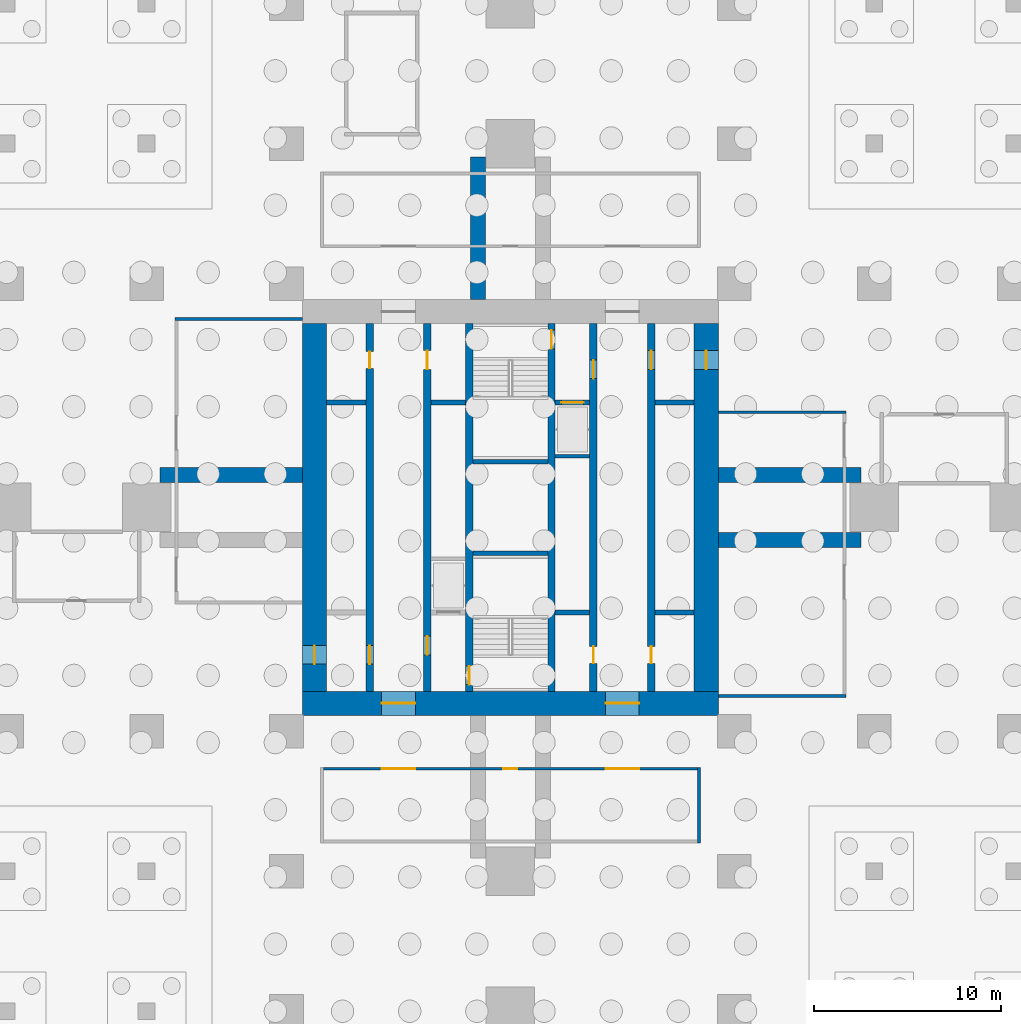
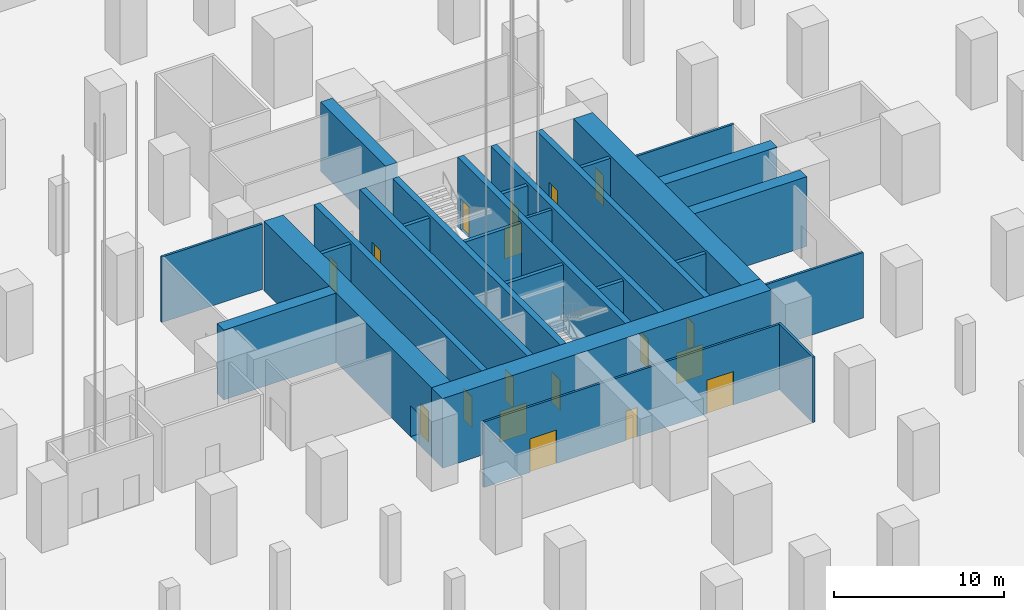
# One storey, part 9 of 31: 27 walls, 18 doors, 18 openings.
"""IFC4 building model written with IfcOpenShell, lengths in metres."""

from ifc_helpers import new_model, si_unit, direction, frame, frame_2d, origin, place, context, subcontext, project, spatial, rectangle, extrude, material, layer, layer_set, type_object, element, fill, save


model = new_model("IFC4")

# Units and contexts
model_context = context("Model", 3, precision=1e-05, world=origin(), true_north=direction((0.0, 1.0)))
body_context = subcontext(model_context, "Body", "Model", "MODEL_VIEW")
ifc_project = project(units=[si_unit("LENGTHUNIT", "METRE"), si_unit("AREAUNIT", "SQUARE_METRE"), si_unit("VOLUMEUNIT", "CUBIC_METRE"), si_unit("PLANEANGLEUNIT", "RADIAN"), si_unit("MASSUNIT", "GRAM", prefix="KILO")], contexts=[model_context])

# Site, building, storey
site_placement = place(None, origin())
site = spatial("IfcSite", under=ifc_project, at=site_placement, CompositionType="ELEMENT")
building_placement = place(site_placement, origin())
building = spatial("IfcBuilding", under=site, at=building_placement, Name="Mizan Broadcast Tower", CompositionType="ELEMENT")
storey_placement = place(building_placement, frame((0.0, 0.0, -10.0)))
storey = spatial("IfcBuildingStorey", under=building, at=storey_placement, Name="B2", CompositionType="ELEMENT", Elevation=-10.0)

# Wall, openings, doors
ifc_material_1 = material(Name="Concrete C70/85", Category="concrete")
ifc_layer_1 = layer(ifc_material_1, 0.39990234375)
ifc_layer_set_1 = layer_set([ifc_layer_1], Name="Concrete C70/85")
wall_type_1 = type_object("IfcWallType", Name="CORE INTERNAL WALL 400", PredefinedType="SHEAR", material=ifc_layer_set_1)
wall_1_placement = place(storey_placement, frame((-7.550048828125, -9.85009765625, 0.0), z_axis=(0.0, 0.0, 1.0), x_axis=(0.0, 1.0, 0.0)))
wall_1 = element("IfcWall", 1, at=wall_1_placement, inside=storey, type_object=wall_type_1, Name="Core wall CORE/XW1", PredefinedType="SHEAR", context=body_context, shape_type="SweptSolid", body=[
    extrude(rectangle(XDim=19.7001953125, YDim=0.39990234375, at=frame_2d((9.85009765625, 0.0))), origin(), (0.0, 0.0, 1.0), 5.0),
])
opening_1_placement = place(wall_1_placement, frame((1.449951171875, 0.0, 0.0)))
opening_1 = element("IfcOpeningElement", 2, at=opening_1_placement, cuts=wall_1, Name="Opening D10F", PredefinedType="OPENING", context=body_context, shape_type="SweptSolid", body=[
    extrude(rectangle(XDim=1.0, YDim=2.199951171875, at=frame_2d((0.5, 1.10009765625))), frame((0.0, 0.2099609375, 0.0), z_axis=(0.0, -1.0, 0.0), x_axis=(1.0, 0.0, 0.0)), (0.0, 0.0, 1.0), 0.419921875),
])
opening_2_placement = place(wall_1_placement, frame((17.300048828125, 0.0, 0.0)))
opening_2 = element("IfcOpeningElement", 3, at=opening_2_placement, cuts=wall_1, Name="Opening D09", PredefinedType="OPENING", context=body_context, shape_type="SweptSolid", body=[
    extrude(rectangle(XDim=0.89990234375, YDim=2.10009765625, at=frame_2d((0.449951171875, 1.050048828125))), frame((0.0, 0.2099609375, 0.0), z_axis=(0.0, -1.0, 0.0), x_axis=(1.0, 0.0, 0.0)), (0.0, 0.0, 1.0), 0.419921875),
])
ifc_material_2 = material(Name="Steel door leaf in steel frame", Category="steel")
door_type_1 = type_object("IfcDoorType", Name="FIRE DOOR 1000 FD90", OperationType="SINGLE_SWING_LEFT", PredefinedType="DOOR", material=ifc_material_2)
door_1_placement = place(opening_1_placement, origin())
door_1 = element("IfcDoor", 4, at=door_1_placement, inside=storey, type_object=door_type_1, Name="West core passage door", OperationType="SINGLE_SWING_LEFT", OverallHeight=2.199951171875, OverallWidth=1.0, PredefinedType="DOOR", context=body_context, shape_type="SweptSolid", body=[
    extrude(rectangle(XDim=1.0, YDim=2.199951171875, at=frame_2d((0.5, 1.10009765625))), frame((0.0, 0.02490234375, 0.0), z_axis=(0.0, -1.0, 0.0), x_axis=(1.0, 0.0, 0.0)), (0.0, 0.0, 1.0), 0.050048828125),
])
fill(opening_1, door_1)
ifc_material_3 = material(Name="Timber door leaf in aluminium frame", Category="wood")
door_type_2 = type_object("IfcDoorType", Name="TOILET DOOR 900", OperationType="SINGLE_SWING_LEFT", PredefinedType="DOOR", material=ifc_material_3)
door_2_placement = place(opening_2_placement, origin())
door_2 = element("IfcDoor", 5, at=door_2_placement, inside=storey, type_object=door_type_2, Name="Male WC door", OperationType="SINGLE_SWING_RIGHT", OverallHeight=2.10009765625, OverallWidth=0.89990234375, PredefinedType="DOOR", context=body_context, shape_type="SweptSolid", body=[
    extrude(rectangle(XDim=0.89990234375, YDim=2.10009765625, at=frame_2d((0.449951171875, 1.050048828125))), frame((0.0, 0.02490234375, 0.0), z_axis=(0.0, -1.0, 0.0), x_axis=(1.0, 0.0, 0.0)), (0.0, 0.0, 1.0), 0.050048828125),
])
fill(opening_2, door_2)

wall_2_placement = place(storey_placement, frame((7.550048828125, 9.85009765625, 0.0), z_axis=(0.0, 0.0, 1.0), x_axis=(0.0, -1.0, 0.0)))
wall_2 = element("IfcWall", 6, at=wall_2_placement, inside=storey, type_object=wall_type_1, Name="Core wall CORE/XW1E", PredefinedType="SHEAR", context=body_context, shape_type="SweptSolid", body=[
    extrude(rectangle(XDim=19.7001953125, YDim=0.39990234375, at=frame_2d((9.85009765625, 0.0))), origin(), (0.0, 0.0, 1.0), 5.0),
])
opening_3_placement = place(wall_2_placement, frame((1.449951171875, 0.0, 0.0)))
opening_3 = element("IfcOpeningElement", 7, at=opening_3_placement, cuts=wall_2, Name="Opening D10F", PredefinedType="OPENING", context=body_context, shape_type="SweptSolid", body=[
    extrude(rectangle(XDim=1.0, YDim=2.199951171875, at=frame_2d((0.5, 1.10009765625))), frame((0.0, 0.2099609375, 0.0), z_axis=(0.0, -1.0, 0.0), x_axis=(1.0, 0.0, 0.0)), (0.0, 0.0, 1.0), 0.419921875),
])
opening_4_placement = place(wall_2_placement, frame((17.300048828125, 0.0, 0.0)))
opening_4 = element("IfcOpeningElement", 8, at=opening_4_placement, cuts=wall_2, Name="Opening D09", PredefinedType="OPENING", context=body_context, shape_type="SweptSolid", body=[
    extrude(rectangle(XDim=0.89990234375, YDim=2.10009765625, at=frame_2d((0.449951171875, 1.050048828125))), frame((0.0, 0.2099609375, 0.0), z_axis=(0.0, -1.0, 0.0), x_axis=(1.0, 0.0, 0.0)), (0.0, 0.0, 1.0), 0.419921875),
])
door_3_placement = place(opening_3_placement, origin())
door_3 = element("IfcDoor", 9, at=door_3_placement, inside=storey, type_object=door_type_1, Name="East core passage door", OperationType="SINGLE_SWING_LEFT", OverallHeight=2.199951171875, OverallWidth=1.0, PredefinedType="DOOR", context=body_context, shape_type="SweptSolid", body=[
    extrude(rectangle(XDim=1.0, YDim=2.199951171875, at=frame_2d((0.5, 1.10009765625))), frame((0.0, 0.02490234375, 0.0), z_axis=(0.0, -1.0, 0.0), x_axis=(1.0, 0.0, 0.0)), (0.0, 0.0, 1.0), 0.050048828125),
])
fill(opening_3, door_3)
door_4_placement = place(opening_4_placement, origin())
door_4 = element("IfcDoor", 10, at=door_4_placement, inside=storey, type_object=door_type_2, Name="Female WC door", OperationType="SINGLE_SWING_RIGHT", OverallHeight=2.10009765625, OverallWidth=0.89990234375, PredefinedType="DOOR", context=body_context, shape_type="SweptSolid", body=[
    extrude(rectangle(XDim=0.89990234375, YDim=2.10009765625, at=frame_2d((0.449951171875, 1.050048828125))), frame((0.0, 0.02490234375, 0.0), z_axis=(0.0, -1.0, 0.0), x_axis=(1.0, 0.0, 0.0)), (0.0, 0.0, 1.0), 0.050048828125),
])
fill(opening_4, door_4)

wall_3_placement = place(storey_placement, frame((-4.449951171875, -9.85009765625, 0.0), z_axis=(0.0, 0.0, 1.0), x_axis=(0.0, 1.0, 0.0)))
wall_3 = element("IfcWall", 11, at=wall_3_placement, inside=storey, type_object=wall_type_1, Name="Core wall CORE/XWH", PredefinedType="SHEAR", context=body_context, shape_type="SweptSolid", body=[
    extrude(rectangle(XDim=19.7001953125, YDim=0.39990234375, at=frame_2d((9.85009765625, 0.0))), origin(), (0.0, 0.0, 1.0), 5.0),
])
opening_5_placement = place(wall_3_placement, frame((1.949951171875, 0.0, 0.0)))
opening_5 = element("IfcOpeningElement", 12, at=opening_5_placement, cuts=wall_3, Name="Opening D10F", PredefinedType="OPENING", context=body_context, shape_type="SweptSolid", body=[
    extrude(rectangle(XDim=1.0, YDim=2.199951171875, at=frame_2d((0.5, 1.10009765625))), frame((0.0, 0.2099609375, 0.0), z_axis=(0.0, -1.0, 0.0), x_axis=(1.0, 0.0, 0.0)), (0.0, 0.0, 1.0), 0.419921875),
])
opening_6_placement = place(wall_3_placement, frame((17.25, 0.0, 0.0)))
opening_6 = element("IfcOpeningElement", 13, at=opening_6_placement, cuts=wall_3, Name="Opening D10A", PredefinedType="OPENING", context=body_context, shape_type="SweptSolid", body=[
    extrude(rectangle(XDim=1.0, YDim=2.10009765625, at=frame_2d((0.5, 1.050048828125))), frame((0.0, 0.2099609375, 0.0), z_axis=(0.0, -1.0, 0.0), x_axis=(1.0, 0.0, 0.0)), (0.0, 0.0, 1.0), 0.419921875),
])
ifc_material_4 = material(Name="Timber door leaf in aluminium frame", Category="wood")
door_type_3 = type_object("IfcDoorType", Name="ACCESSIBLE WC DOOR 1000", OperationType="SLIDING_TO_LEFT", PredefinedType="DOOR", material=ifc_material_4)
door_5_placement = place(opening_6_placement, origin())
door_5 = element("IfcDoor", 14, at=door_5_placement, inside=storey, type_object=door_type_3, Name="Accessible WC door", OperationType="SLIDING_TO_LEFT", OverallHeight=2.10009765625, OverallWidth=1.0, PredefinedType="DOOR", context=body_context, shape_type="SweptSolid", body=[
    extrude(rectangle(XDim=1.0, YDim=2.10009765625, at=frame_2d((0.5, 1.050048828125))), frame((0.0, 0.02490234375, 0.0), z_axis=(0.0, -1.0, 0.0), x_axis=(1.0, 0.0, 0.0)), (0.0, 0.0, 1.0), 0.050048828125),
])
fill(opening_6, door_5)
door_6_placement = place(opening_5_placement, origin())
door_6 = element("IfcDoor", 15, at=door_6_placement, inside=storey, type_object=door_type_1, Name="Firefighting lobby A door", OperationType="SINGLE_SWING_LEFT", OverallHeight=2.199951171875, OverallWidth=1.0, PredefinedType="DOOR", context=body_context, shape_type="SweptSolid", body=[
    extrude(rectangle(XDim=1.0, YDim=2.199951171875, at=frame_2d((0.5, 1.10009765625))), frame((0.0, 0.02490234375, 0.0), z_axis=(0.0, -1.0, 0.0), x_axis=(1.0, 0.0, 0.0)), (0.0, 0.0, 1.0), 0.050048828125),
])
fill(opening_5, door_6)

wall_4_placement = place(storey_placement, frame((4.449951171875, 9.85009765625, 0.0), z_axis=(0.0, 0.0, 1.0), x_axis=(0.0, -1.0, 0.0)))
wall_4 = element("IfcWall", 16, at=wall_4_placement, inside=storey, type_object=wall_type_1, Name="Core wall CORE/XWHE", PredefinedType="SHEAR", context=body_context, shape_type="SweptSolid", body=[
    extrude(rectangle(XDim=19.7001953125, YDim=0.39990234375, at=frame_2d((9.85009765625, 0.0))), origin(), (0.0, 0.0, 1.0), 5.0),
])
opening_7_placement = place(wall_4_placement, frame((1.949951171875, 0.0, 0.0)))
opening_7 = element("IfcOpeningElement", 17, at=opening_7_placement, cuts=wall_4, Name="Opening D10F", PredefinedType="OPENING", context=body_context, shape_type="SweptSolid", body=[
    extrude(rectangle(XDim=1.0, YDim=2.199951171875, at=frame_2d((0.5, 1.10009765625))), frame((0.0, 0.2099609375, 0.0), z_axis=(0.0, -1.0, 0.0), x_axis=(1.0, 0.0, 0.0)), (0.0, 0.0, 1.0), 0.419921875),
])
opening_8_placement = place(wall_4_placement, frame((17.300048828125, 0.0, 0.0)))
opening_8 = element("IfcOpeningElement", 18, at=opening_8_placement, cuts=wall_4, Name="Opening D09", PredefinedType="OPENING", context=body_context, shape_type="SweptSolid", body=[
    extrude(rectangle(XDim=0.89990234375, YDim=2.10009765625, at=frame_2d((0.449951171875, 1.050048828125))), frame((0.0, 0.2099609375, 0.0), z_axis=(0.0, -1.0, 0.0), x_axis=(1.0, 0.0, 0.0)), (0.0, 0.0, 1.0), 0.419921875),
])
door_7_placement = place(opening_7_placement, origin())
door_7 = element("IfcDoor", 19, at=door_7_placement, inside=storey, type_object=door_type_1, Name="Firefighting lobby B door", OperationType="SINGLE_SWING_LEFT", OverallHeight=2.199951171875, OverallWidth=1.0, PredefinedType="DOOR", context=body_context, shape_type="SweptSolid", body=[
    extrude(rectangle(XDim=1.0, YDim=2.199951171875, at=frame_2d((0.5, 1.10009765625))), frame((0.0, 0.02490234375, 0.0), z_axis=(0.0, -1.0, 0.0), x_axis=(1.0, 0.0, 0.0)), (0.0, 0.0, 1.0), 0.050048828125),
])
fill(opening_7, door_7)
door_8_placement = place(opening_8_placement, origin())
door_8 = element("IfcDoor", 20, at=door_8_placement, inside=storey, type_object=door_type_2, Name="Cleaner's store door", OperationType="SINGLE_SWING_RIGHT", OverallHeight=2.10009765625, OverallWidth=0.89990234375, PredefinedType="DOOR", context=body_context, shape_type="SweptSolid", body=[
    extrude(rectangle(XDim=0.89990234375, YDim=2.10009765625, at=frame_2d((0.449951171875, 1.050048828125))), frame((0.0, 0.02490234375, 0.0), z_axis=(0.0, -1.0, 0.0), x_axis=(1.0, 0.0, 0.0)), (0.0, 0.0, 1.0), 0.050048828125),
])
fill(opening_8, door_8)

# Wall, opening, door
wall_5_placement = place(storey_placement, frame((-2.199951171875, -9.85009765625, 0.0), z_axis=(0.0, 0.0, 1.0), x_axis=(0.0, 1.0, 0.0)))
wall_5 = element("IfcWall", 21, at=wall_5_placement, inside=storey, type_object=wall_type_1, Name="Core wall CORE/XW2", PredefinedType="SHEAR", context=body_context, shape_type="SweptSolid", body=[
    extrude(rectangle(XDim=19.7001953125, YDim=0.39990234375, at=frame_2d((9.85009765625, 0.0))), origin(), (0.0, 0.0, 1.0), 5.0),
])
opening_9_placement = place(wall_5_placement, frame((0.35009765625, 0.0, 0.0)))
opening_9 = element("IfcOpeningElement", 22, at=opening_9_placement, cuts=wall_5, Name="Opening D10S", PredefinedType="OPENING", context=body_context, shape_type="SweptSolid", body=[
    extrude(rectangle(XDim=1.0, YDim=2.199951171875, at=frame_2d((0.5, 1.10009765625))), frame((0.0, 0.2099609375, 0.0), z_axis=(0.0, -1.0, 0.0), x_axis=(1.0, 0.0, 0.0)), (0.0, 0.0, 1.0), 0.419921875),
])
ifc_material_5 = material(Name="Steel door leaf in steel frame", Category="steel")
door_type_4 = type_object("IfcDoorType", Name="STAIR DOOR 1000 FD90S", OperationType="SINGLE_SWING_RIGHT", PredefinedType="DOOR", material=ifc_material_5)
door_9_placement = place(opening_9_placement, origin())
door_9 = element("IfcDoor", 23, at=door_9_placement, inside=storey, type_object=door_type_4, Name="Stair A door", OperationType="SINGLE_SWING_RIGHT", OverallHeight=2.199951171875, OverallWidth=1.0, PredefinedType="DOOR", context=body_context, shape_type="SweptSolid", body=[
    extrude(rectangle(XDim=1.0, YDim=2.199951171875, at=frame_2d((0.5, 1.10009765625))), frame((0.0, 0.02490234375, 0.0), z_axis=(0.0, -1.0, 0.0), x_axis=(1.0, 0.0, 0.0)), (0.0, 0.0, 1.0), 0.050048828125),
])
fill(opening_9, door_9)

wall_6_placement = place(storey_placement, frame((2.199951171875, 9.85009765625, 0.0), z_axis=(0.0, 0.0, 1.0), x_axis=(0.0, -1.0, 0.0)))
wall_6 = element("IfcWall", 24, at=wall_6_placement, inside=storey, type_object=wall_type_1, Name="Core wall CORE/XW2E", PredefinedType="SHEAR", context=body_context, shape_type="SweptSolid", body=[
    extrude(rectangle(XDim=19.7001953125, YDim=0.39990234375, at=frame_2d((9.85009765625, 0.0))), origin(), (0.0, 0.0, 1.0), 5.0),
])
opening_10_placement = place(wall_6_placement, frame((0.35009765625, 0.0, 0.0)))
opening_10 = element("IfcOpeningElement", 25, at=opening_10_placement, cuts=wall_6, Name="Opening D10S", PredefinedType="OPENING", context=body_context, shape_type="SweptSolid", body=[
    extrude(rectangle(XDim=1.0, YDim=2.199951171875, at=frame_2d((0.5, 1.10009765625))), frame((0.0, 0.2099609375, 0.0), z_axis=(0.0, -1.0, 0.0), x_axis=(1.0, 0.0, 0.0)), (0.0, 0.0, 1.0), 0.419921875),
])
door_10_placement = place(opening_10_placement, origin())
door_10 = element("IfcDoor", 26, at=door_10_placement, inside=storey, type_object=door_type_4, Name="Stair B door", OperationType="SINGLE_SWING_RIGHT", OverallHeight=2.199951171875, OverallWidth=1.0, PredefinedType="DOOR", context=body_context, shape_type="SweptSolid", body=[
    extrude(rectangle(XDim=1.0, YDim=2.199951171875, at=frame_2d((0.5, 1.10009765625))), frame((0.0, 0.02490234375, 0.0), z_axis=(0.0, -1.0, 0.0), x_axis=(1.0, 0.0, 0.0)), (0.0, 0.0, 1.0), 0.050048828125),
])
fill(opening_10, door_10)

# Wall, openings, doors
ifc_material_6 = material(Name="Concrete C70/85", Category="concrete")
ifc_layer_2 = layer(ifc_material_6, 1.300048828125)
ifc_layer_set_2 = layer_set([ifc_layer_2], Name="Concrete C70/85")
wall_type_2 = type_object("IfcWallType", Name="CORE WALL 1300", PredefinedType="SHEAR", material=ifc_layer_set_2)
wall_7_placement = place(storey_placement, frame((11.14990234375, -10.5, 0.0), z_axis=(0.0, 0.0, 1.0), x_axis=(-1.0, 0.0, 0.0)))
wall_7 = element("IfcWall", 27, at=wall_7_placement, inside=storey, type_object=wall_type_2, Name="Core wall S B2", PredefinedType="SHEAR", context=body_context, shape_type="SweptSolid", body=[
    extrude(rectangle(XDim=22.2998046875, YDim=1.300048828125, at=frame_2d((11.14990234375, 0.0))), origin(), (0.0, 0.0, 1.0), 5.0),
])
opening_11_placement = place(wall_7_placement, frame((16.25, 0.0, 0.0)))
opening_11 = element("IfcOpeningElement", 28, at=opening_11_placement, cuts=wall_7, Name="Opening D18F", PredefinedType="OPENING", context=body_context, shape_type="SweptSolid", body=[
    extrude(rectangle(XDim=1.800048828125, YDim=2.199951171875, at=frame_2d((0.89990234375, 1.10009765625))), frame((0.0, 0.659912109375, 0.0), z_axis=(0.0, -1.0, 0.0), x_axis=(1.0, 0.0, 0.0)), (0.0, 0.0, 1.0), 1.320068359375),
])
opening_12_placement = place(wall_7_placement, frame((4.25, 0.0, 0.0)))
opening_12 = element("IfcOpeningElement", 29, at=opening_12_placement, cuts=wall_7, Name="Opening D18F", PredefinedType="OPENING", context=body_context, shape_type="SweptSolid", body=[
    extrude(rectangle(XDim=1.800048828125, YDim=2.199951171875, at=frame_2d((0.89990234375, 1.10009765625))), frame((0.0, 0.659912109375, 0.0), z_axis=(0.0, -1.0, 0.0), x_axis=(1.0, 0.0, 0.0)), (0.0, 0.0, 1.0), 1.320068359375),
])
ifc_material_7 = material(Name="Steel door leaf in steel frame", Category="steel")
door_type_5 = type_object("IfcDoorType", Name="LOBBY DOUBLE DOOR 1800 FD90", OperationType="DOUBLE_DOOR_DOUBLE_SWING", PredefinedType="DOOR", material=ifc_material_7)
door_11_placement = place(opening_11_placement, origin())
door_11 = element("IfcDoor", 30, at=door_11_placement, inside=storey, type_object=door_type_5, Name="West lift lobby south door", OperationType="DOUBLE_DOOR_DOUBLE_SWING", OverallHeight=2.199951171875, OverallWidth=1.800048828125, PredefinedType="DOOR", context=body_context, shape_type="SweptSolid", body=[
    extrude(rectangle(XDim=1.800048828125, YDim=2.199951171875, at=frame_2d((0.89990234375, 1.10009765625))), frame((0.0, 0.02490234375, 0.0), z_axis=(0.0, -1.0, 0.0), x_axis=(1.0, 0.0, 0.0)), (0.0, 0.0, 1.0), 0.050048828125),
])
fill(opening_11, door_11)
door_12_placement = place(opening_12_placement, origin())
door_12 = element("IfcDoor", 31, at=door_12_placement, inside=storey, type_object=door_type_5, Name="East lift lobby south door", OperationType="DOUBLE_DOOR_DOUBLE_SWING", OverallHeight=2.199951171875, OverallWidth=1.800048828125, PredefinedType="DOOR", context=body_context, shape_type="SweptSolid", body=[
    extrude(rectangle(XDim=1.800048828125, YDim=2.199951171875, at=frame_2d((0.89990234375, 1.10009765625))), frame((0.0, 0.02490234375, 0.0), z_axis=(0.0, -1.0, 0.0), x_axis=(1.0, 0.0, 0.0)), (0.0, 0.0, 1.0), 0.050048828125),
])
fill(opening_12, door_12)

# Wall, opening, door
wall_8_placement = place(storey_placement, frame((10.5, -9.85009765625, 0.0), z_axis=(0.0, 0.0, 1.0), x_axis=(0.0, 1.0, 0.0)))
wall_8 = element("IfcWall", 32, at=wall_8_placement, inside=storey, type_object=wall_type_2, Name="Core wall E B2", PredefinedType="SHEAR", context=body_context, shape_type="SweptSolid", body=[
    extrude(rectangle(XDim=19.7001953125, YDim=1.300048828125, at=frame_2d((9.85009765625, 0.0))), origin(), (0.0, 0.0, 1.0), 5.0),
])
opening_13_placement = place(wall_8_placement, frame((17.25, 0.0, 0.0)))
opening_13 = element("IfcOpeningElement", 33, at=opening_13_placement, cuts=wall_8, Name="Opening D10F", PredefinedType="OPENING", context=body_context, shape_type="SweptSolid", body=[
    extrude(rectangle(XDim=1.0, YDim=2.199951171875, at=frame_2d((0.5, 1.10009765625))), frame((0.0, 0.659912109375, 0.0), z_axis=(0.0, -1.0, 0.0), x_axis=(1.0, 0.0, 0.0)), (0.0, 0.0, 1.0), 1.320068359375),
])
door_13_placement = place(opening_13_placement, origin())
door_13 = element("IfcDoor", 34, at=door_13_placement, inside=storey, type_object=door_type_1, Name="East core passage arm door", OperationType="SINGLE_SWING_RIGHT", OverallHeight=2.199951171875, OverallWidth=1.0, PredefinedType="DOOR", context=body_context, shape_type="SweptSolid", body=[
    extrude(rectangle(XDim=1.0, YDim=2.199951171875, at=frame_2d((0.5, 1.10009765625))), frame((0.0, 0.02490234375, 0.0), z_axis=(0.0, -1.0, 0.0), x_axis=(1.0, 0.0, 0.0)), (0.0, 0.0, 1.0), 0.050048828125),
])
fill(opening_13, door_13)

wall_9_placement = place(storey_placement, frame((-10.5, 9.85009765625, 0.0), z_axis=(0.0, 0.0, 1.0), x_axis=(0.0, -1.0, 0.0)))
wall_9 = element("IfcWall", 35, at=wall_9_placement, inside=storey, type_object=wall_type_2, Name="Core wall W B2", PredefinedType="SHEAR", context=body_context, shape_type="SweptSolid", body=[
    extrude(rectangle(XDim=19.7001953125, YDim=1.300048828125, at=frame_2d((9.85009765625, 0.0))), origin(), (0.0, 0.0, 1.0), 5.0),
])
opening_14_placement = place(wall_9_placement, frame((17.25, 0.0, 0.0)))
opening_14 = element("IfcOpeningElement", 36, at=opening_14_placement, cuts=wall_9, Name="Opening D10F", PredefinedType="OPENING", context=body_context, shape_type="SweptSolid", body=[
    extrude(rectangle(XDim=1.0, YDim=2.199951171875, at=frame_2d((0.5, 1.10009765625))), frame((0.0, 0.659912109375, 0.0), z_axis=(0.0, -1.0, 0.0), x_axis=(1.0, 0.0, 0.0)), (0.0, 0.0, 1.0), 1.320068359375),
])
door_14_placement = place(opening_14_placement, origin())
door_14 = element("IfcDoor", 37, at=door_14_placement, inside=storey, type_object=door_type_1, Name="West core passage arm door", OperationType="SINGLE_SWING_RIGHT", OverallHeight=2.199951171875, OverallWidth=1.0, PredefinedType="DOOR", context=body_context, shape_type="SweptSolid", body=[
    extrude(rectangle(XDim=1.0, YDim=2.199951171875, at=frame_2d((0.5, 1.10009765625))), frame((0.0, 0.02490234375, 0.0), z_axis=(0.0, -1.0, 0.0), x_axis=(1.0, 0.0, 0.0)), (0.0, 0.0, 1.0), 0.050048828125),
])
fill(opening_14, door_14)

# Walls
ifc_material_8 = material(Name="Concrete blockwork", Category="masonry")
ifc_layer_3 = layer(ifc_material_8, 0.199951171875)
ifc_layer_set_3 = layer_set([ifc_layer_3], Name="Concrete blockwork")
wall_type_3 = type_object("IfcWallType", Name="LIFT SHAFT WALL 200", PredefinedType="SOLIDWALL", material=ifc_layer_set_3)
wall_10_placement = place(storey_placement, frame((2.39990234375, 2.75, 0.0), z_axis=(0.0, 0.0, 1.0), x_axis=(1.0, 0.0, 0.0)))
element("IfcWall", 38, at=wall_10_placement, inside=storey, type_object=wall_type_3, Name="Lift shaft wall CORE/SE2-3", PredefinedType="SOLIDWALL", context=body_context, shape_type="SweptSolid", body=[
    extrude(rectangle(XDim=1.85009765625, YDim=0.199951171875, at=frame_2d((0.925048828125, 0.0))), origin(), (0.0, 0.0, 1.0), 4.800048828125),
])
ifc_material_9 = material(Name="Concrete blockwork", Category="masonry")
ifc_layer_4 = layer(ifc_material_9, 0.25)
ifc_layer_set_4 = layer_set([ifc_layer_4], Name="Concrete blockwork")
wall_type_4 = type_object("IfcWallType", Name="LOBBY ENCLOSURE WALL 250", PredefinedType="SOLIDWALL", material=ifc_layer_set_4)
wall_11_placement = place(storey_placement, frame((-9.85009765625, 5.625, 0.0), z_axis=(0.0, 0.0, 1.0), x_axis=(1.0, 0.0, 0.0)))
element("IfcWall", 39, at=wall_11_placement, inside=storey, type_object=wall_type_4, Name="Lobby enclosure wall CORE/BW1N", PredefinedType="SOLIDWALL", context=body_context, shape_type="SweptSolid", body=[
    extrude(rectangle(XDim=2.10009765625, YDim=0.25, at=frame_2d((1.050048828125, 0.0))), origin(), (0.0, 0.0, 1.0), 4.800048828125),
])
wall_12_placement = place(storey_placement, frame((-4.25, 5.625, 0.0), z_axis=(0.0, 0.0, 1.0), x_axis=(1.0, 0.0, 0.0)))
element("IfcWall", 40, at=wall_12_placement, inside=storey, type_object=wall_type_4, Name="Lobby enclosure wall CORE/BW2N", PredefinedType="SOLIDWALL", context=body_context, shape_type="SweptSolid", body=[
    extrude(rectangle(XDim=1.85009765625, YDim=0.25, at=frame_2d((0.925048828125, 0.0))), origin(), (0.0, 0.0, 1.0), 4.800048828125),
])

# Wall, opening, door
wall_13_placement = place(storey_placement, frame((2.39990234375, 5.625, 0.0), z_axis=(0.0, 0.0, 1.0), x_axis=(1.0, 0.0, 0.0)))
wall_13 = element("IfcWall", 41, at=wall_13_placement, inside=storey, type_object=wall_type_4, Name="Lobby enclosure wall CORE/BE2N", PredefinedType="SOLIDWALL", context=body_context, shape_type="SweptSolid", body=[
    extrude(rectangle(XDim=1.85009765625, YDim=0.25, at=frame_2d((0.925048828125, 0.0))), origin(), (0.0, 0.0, 1.0), 4.800048828125),
])
opening_15_placement = place(wall_13_placement, frame((0.324951171875, 0.0, 0.0)))
opening_15 = element("IfcOpeningElement", 42, at=opening_15_placement, cuts=wall_13, Name="Opening LDF", PredefinedType="OPENING", context=body_context, shape_type="SweptSolid", body=[
    extrude(rectangle(XDim=1.199951171875, YDim=2.199951171875, at=frame_2d((0.60009765625, 1.10009765625))), frame((0.0, 0.135009765625, 0.0), z_axis=(0.0, -1.0, 0.0), x_axis=(1.0, 0.0, 0.0)), (0.0, 0.0, 1.0), 0.27001953125),
])
ifc_material_10 = material(Name="Steel door leaf in steel frame", Category="steel")
door_type_6 = type_object("IfcDoorType", Name="FIREFIGHTING LIFT LANDING DOOR 1200", OperationType="SLIDING_TO_LEFT", PredefinedType="DOOR", material=ifc_material_10)
door_15_placement = place(opening_15_placement, origin())
door_15 = element("IfcDoor", 43, at=door_15_placement, inside=storey, type_object=door_type_6, Name="Landing door FF2", OperationType="SLIDING_TO_LEFT", OverallHeight=2.199951171875, OverallWidth=1.199951171875, PredefinedType="DOOR", context=body_context, shape_type="SweptSolid", body=[
    extrude(rectangle(XDim=1.199951171875, YDim=2.199951171875, at=frame_2d((0.60009765625, 1.10009765625))), frame((0.0, 0.02490234375, 0.0), z_axis=(0.0, -1.0, 0.0), x_axis=(1.0, 0.0, 0.0)), (0.0, 0.0, 1.0), 0.050048828125),
])
fill(opening_15, door_15)

# Walls
wall_14_placement = place(storey_placement, frame((7.75, 5.625, 0.0), z_axis=(0.0, 0.0, 1.0), x_axis=(1.0, 0.0, 0.0)))
element("IfcWall", 44, at=wall_14_placement, inside=storey, type_object=wall_type_4, Name="Lobby enclosure wall CORE/BE1N", PredefinedType="SOLIDWALL", context=body_context, shape_type="SweptSolid", body=[
    extrude(rectangle(XDim=2.10009765625, YDim=0.25, at=frame_2d((1.050048828125, 0.0))), origin(), (0.0, 0.0, 1.0), 4.800048828125),
])
wall_15_placement = place(storey_placement, frame((2.39990234375, -5.625, 0.0), z_axis=(0.0, 0.0, 1.0), x_axis=(1.0, 0.0, 0.0)))
element("IfcWall", 45, at=wall_15_placement, inside=storey, type_object=wall_type_4, Name="Lobby enclosure wall CORE/BE2S", PredefinedType="SOLIDWALL", context=body_context, shape_type="SweptSolid", body=[
    extrude(rectangle(XDim=1.85009765625, YDim=0.25, at=frame_2d((0.925048828125, 0.0))), origin(), (0.0, 0.0, 1.0), 4.800048828125),
])
wall_16_placement = place(storey_placement, frame((7.75, -5.625, 0.0), z_axis=(0.0, 0.0, 1.0), x_axis=(1.0, 0.0, 0.0)))
element("IfcWall", 46, at=wall_16_placement, inside=storey, type_object=wall_type_4, Name="Lobby enclosure wall CORE/BE1S", PredefinedType="SOLIDWALL", context=body_context, shape_type="SweptSolid", body=[
    extrude(rectangle(XDim=2.10009765625, YDim=0.25, at=frame_2d((1.050048828125, 0.0))), origin(), (0.0, 0.0, 1.0), 4.800048828125),
])
for number, where, z_axis, x_axis, name in (
    (47, (-2.0, -2.449951171875, 0.0), (0.0, 0.0, 1.0), (1.0, 0.0, 0.0), "Lobby enclosure wall CORE/STA"),
    (48, (-2.0, 2.449951171875, 0.0), (0.0, 0.0, 1.0), (1.0, 0.0, 0.0), "Lobby enclosure wall CORE/STB"),
):
    element("IfcWall", number, at=place(storey_placement, frame(where, z_axis=z_axis, x_axis=x_axis)), inside=storey, type_object=wall_type_4, Name=name, PredefinedType="SOLIDWALL", context=body_context, shape_type="SweptSolid", body=[
        extrude(rectangle(XDim=4.0, YDim=0.25, at=frame_2d((2.0, 0.0))), origin(), (0.0, 0.0, 1.0), 4.800048828125),
    ])
ifc_material_11 = material(Name="Concrete blockwork", Category="masonry")
ifc_layer_5 = layer(ifc_material_11, 0.14990234375)
ifc_layer_set_5 = layer_set([ifc_layer_5], Name="Concrete blockwork")
wall_type_5 = type_object("IfcWallType", Name="PLANT ROOM ENCLOSURE WALL 150", PredefinedType="SOLIDWALL", material=ifc_layer_set_5)
for number, where, z_axis, x_axis, name in (
    (49, (11.14990234375, -10.10009765625, 0.0), (0.0, 0.0, 1.0), (1.0, 0.0, 0.0), "Plant room wall PT/ES"),
    (50, (11.14990234375, 5.10009765625, 0.0), (0.0, 0.0, 1.0), (1.0, 0.0, 0.0), "Plant room wall PT/EN"),
    (51, (-11.14990234375, 10.10009765625, 0.0), (0.0, 0.0, 1.0), (-1.0, 0.0, 0.0), "Plant room wall PT/WS"),
):
    element("IfcWall", number, at=place(storey_placement, frame(where, z_axis=z_axis, x_axis=x_axis)), inside=storey, type_object=wall_type_5, Name=name, PredefinedType="SOLIDWALL", context=body_context, shape_type="SweptSolid", body=[
        extrude(rectangle(XDim=6.8251953125, YDim=0.14990234375, at=frame_2d((3.41259765625, 0.0))), origin(), (0.0, 0.0, 1.0), 4.699951171875),
    ])
wall_17_placement = place(storey_placement, frame((10.10009765625, -13.925048828125, 0.0), z_axis=(0.0, 0.0, 1.0), x_axis=(0.0, -1.0, 0.0)))
element("IfcWall", 52, at=wall_17_placement, inside=storey, type_object=wall_type_5, Name="Plant room wall PT/SN", PredefinedType="SOLIDWALL", context=body_context, shape_type="SweptSolid", body=[
    extrude(rectangle(XDim=4.050048828125, YDim=0.14990234375, at=frame_2d((2.02490234375, 0.0))), origin(), (0.0, 0.0, 1.0), 4.699951171875),
])

# Wall, openings, doors
wall_18_placement = place(storey_placement, frame((-10.02490234375, -14.0, 0.0), z_axis=(0.0, 0.0, 1.0), x_axis=(1.0, 0.0, 0.0)))
wall_18 = element("IfcWall", 53, at=wall_18_placement, inside=storey, type_object=wall_type_5, Name="Plant room wall PT/SY", PredefinedType="SOLIDWALL", context=body_context, shape_type="SweptSolid", body=[
    extrude(rectangle(XDim=20.0498046875, YDim=0.14990234375, at=frame_2d((10.02490234375, 0.0))), origin(), (0.0, 0.0, 1.0), 4.699951171875),
])
opening_16_placement = place(wall_18_placement, frame((9.64990234375, 0.0, 0.0)))
opening_16 = element("IfcOpeningElement", 54, at=opening_16_placement, cuts=wall_18, Name="Opening D07R", PredefinedType="OPENING", context=body_context, shape_type="SweptSolid", body=[
    extrude(rectangle(XDim=0.75, YDim=2.10009765625, at=frame_2d((0.375, 1.050048828125))), frame((0.0, 0.0849609375, 0.0), z_axis=(0.0, -1.0, 0.0), x_axis=(1.0, 0.0, 0.0)), (0.0, 0.0, 1.0), 0.169921875),
])
opening_17_placement = place(wall_18_placement, frame((3.125, 0.0, 0.0)))
opening_17 = element("IfcOpeningElement", 55, at=opening_17_placement, cuts=wall_18, Name="Opening D18P", PredefinedType="OPENING", context=body_context, shape_type="SweptSolid", body=[
    extrude(rectangle(XDim=1.800048828125, YDim=2.39990234375, at=frame_2d((0.89990234375, 1.199951171875))), frame((0.0, 0.0849609375, 0.0), z_axis=(0.0, -1.0, 0.0), x_axis=(1.0, 0.0, 0.0)), (0.0, 0.0, 1.0), 0.169921875),
])
opening_18_placement = place(wall_18_placement, frame((15.125, 0.0, 0.0)))
opening_18 = element("IfcOpeningElement", 56, at=opening_18_placement, cuts=wall_18, Name="Opening D18P", PredefinedType="OPENING", context=body_context, shape_type="SweptSolid", body=[
    extrude(rectangle(XDim=1.800048828125, YDim=2.39990234375, at=frame_2d((0.89990234375, 1.199951171875))), frame((0.0, 0.0849609375, 0.0), z_axis=(0.0, -1.0, 0.0), x_axis=(1.0, 0.0, 0.0)), (0.0, 0.0, 1.0), 0.169921875),
])
ifc_material_12 = material(Name="Steel door leaf in steel frame", Category="steel")
door_type_7 = type_object("IfcDoorType", Name="PLANT ROOM DOUBLE DOOR 1800x2400 FD90", OperationType="DOUBLE_DOOR_DOUBLE_SWING", PredefinedType="DOOR", material=ifc_material_12)
door_16_placement = place(opening_17_placement, origin())
door_16 = element("IfcDoor", 57, at=door_16_placement, inside=storey, type_object=door_type_7, Name="Sprinkler tank room door", OperationType="DOUBLE_DOOR_DOUBLE_SWING", OverallHeight=2.39990234375, OverallWidth=1.800048828125, PredefinedType="DOOR", context=body_context, shape_type="SweptSolid", body=[
    extrude(rectangle(XDim=1.800048828125, YDim=2.39990234375, at=frame_2d((0.89990234375, 1.199951171875))), frame((0.0, 0.02490234375, 0.0), z_axis=(0.0, -1.0, 0.0), x_axis=(1.0, 0.0, 0.0)), (0.0, 0.0, 1.0), 0.050048828125),
])
fill(opening_17, door_16)
door_17_placement = place(opening_18_placement, origin())
door_17 = element("IfcDoor", 58, at=door_17_placement, inside=storey, type_object=door_type_7, Name="Sprinkler tank room door", OperationType="DOUBLE_DOOR_DOUBLE_SWING", OverallHeight=2.39990234375, OverallWidth=1.800048828125, PredefinedType="DOOR", context=body_context, shape_type="SweptSolid", body=[
    extrude(rectangle(XDim=1.800048828125, YDim=2.39990234375, at=frame_2d((0.89990234375, 1.199951171875))), frame((0.0, 0.02490234375, 0.0), z_axis=(0.0, -1.0, 0.0), x_axis=(1.0, 0.0, 0.0)), (0.0, 0.0, 1.0), 0.050048828125),
])
fill(opening_18, door_17)
ifc_material_13 = material(Name="Steel door leaf in steel frame", Category="steel")
door_type_8 = type_object("IfcDoorType", Name="RISER ACCESS DOOR 750x2100 FD60", OperationType="SINGLE_SWING_LEFT", PredefinedType="DOOR", material=ifc_material_13)
door_18_placement = place(opening_16_placement, origin())
door_18 = element("IfcDoor", 59, at=door_18_placement, inside=storey, type_object=door_type_8, Name="Spine riser door", OperationType="SINGLE_SWING_LEFT", OverallHeight=2.10009765625, OverallWidth=0.75, PredefinedType="DOOR", context=body_context, shape_type="SweptSolid", body=[
    extrude(rectangle(XDim=0.75, YDim=2.10009765625, at=frame_2d((0.375, 1.050048828125))), frame((0.0, 0.02490234375, 0.0), z_axis=(0.0, -1.0, 0.0), x_axis=(1.0, 0.0, 0.0)), (0.0, 0.0, 1.0), 0.050048828125),
])
fill(opening_16, door_18)

# Walls
ifc_material_14 = material(Name="Concrete C70/85", Category="concrete")
ifc_layer_6 = layer(ifc_material_14, 0.800048828125)
ifc_layer_set_6 = layer_set([ifc_layer_6], Name="Concrete C70/85")
wall_type_6 = type_object("IfcWallType", Name="SPINE WALL 800", PredefinedType="SHEAR", material=ifc_layer_set_6)
for number, where, z_axis, x_axis, name in (
    (60, (11.14990234375, -1.75, 0.0), (0.0, 0.0, 1.0), (1.0, 0.0, 0.0), "Spine wall ER B2"),
    (61, (11.14990234375, 1.75, 0.0), (0.0, 0.0, 1.0), (1.0, 0.0, 0.0), "Spine wall EL B2"),
    (62, (-1.75, 11.14990234375, 0.0), (0.0, 0.0, 1.0), (0.0, 1.0, 0.0), "Spine wall NL B2"),
    (63, (-11.14990234375, 1.75, 0.0), (0.0, 0.0, 1.0), (-1.0, 0.0, 0.0), "Spine wall WR B2"),
):
    element("IfcWall", number, at=place(storey_placement, frame(where, z_axis=z_axis, x_axis=x_axis)), inside=storey, type_object=wall_type_6, Name=name, PredefinedType="SHEAR", context=body_context, shape_type="SweptSolid", body=[
        extrude(rectangle(XDim=7.625, YDim=0.800048828125, at=frame_2d((3.8125, 0.0))), origin(), (0.0, 0.0, 1.0), 5.0),
    ])

save(model, "model.ifc")
